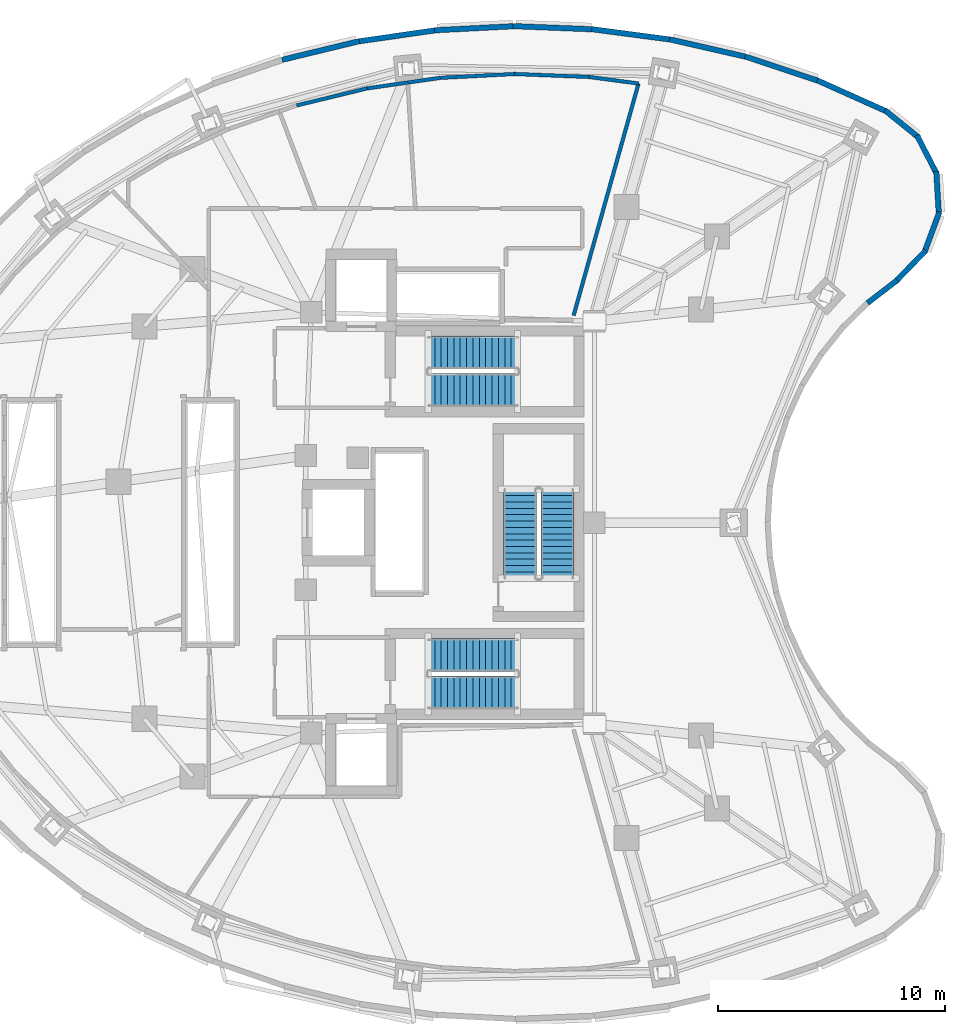
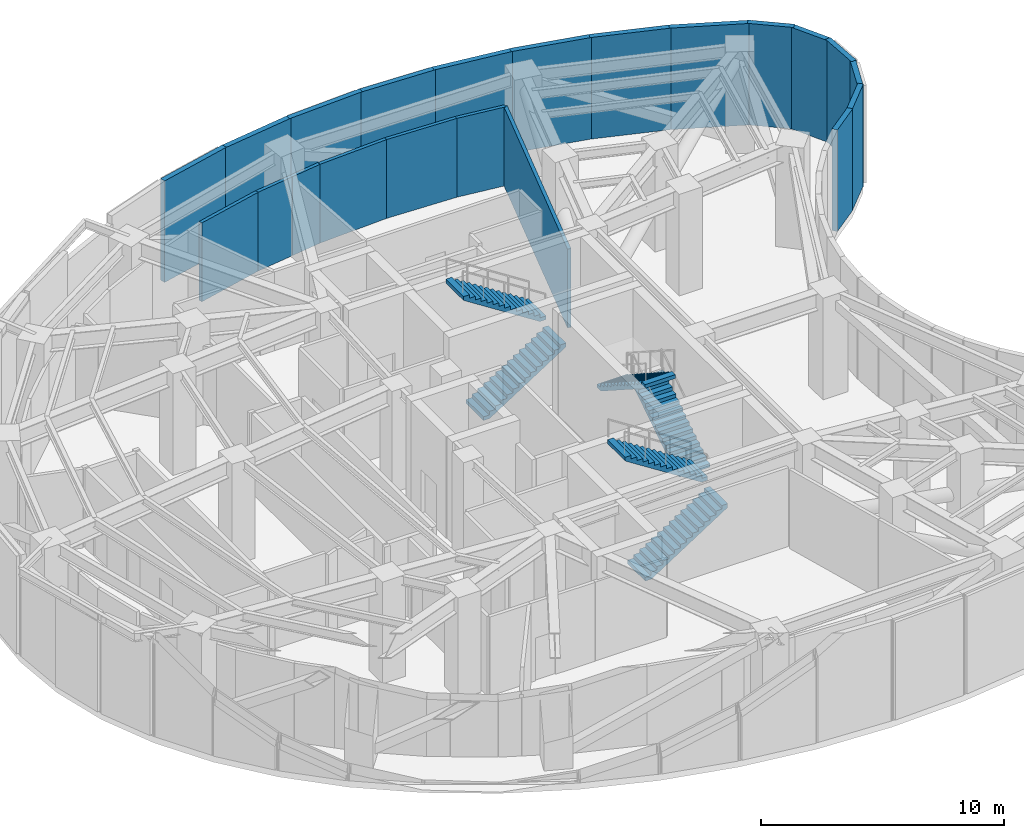
# One storey, part 7 of 10: 21 walls, 6 stair flights, 3 elements without a shape of their own.
"""IFC4 building model written with IfcOpenShell, lengths in metres."""

from ifc_helpers import new_model, si_unit, direction, frame, frame_2d, origin, place, context, subcontext, project, spatial, polyline, rectangle, outline, extrude, material, layer, layer_set, type_object, element, aggregate, save


model = new_model("IFC4")

# Units and contexts
model_context = context("Model", 3, precision=1e-05, world=origin(), true_north=direction((0.0, 1.0)))
body_context = subcontext(model_context, "Body", "Model", "MODEL_VIEW")
ifc_project = project(units=[si_unit("LENGTHUNIT", "METRE"), si_unit("AREAUNIT", "SQUARE_METRE"), si_unit("VOLUMEUNIT", "CUBIC_METRE"), si_unit("PLANEANGLEUNIT", "RADIAN"), si_unit("MASSUNIT", "GRAM", prefix="KILO")], contexts=[model_context])

# Site, building, storey
site_placement = place(None, origin())
site = spatial("IfcSite", under=ifc_project, at=site_placement, CompositionType="ELEMENT")
building_placement = place(site_placement, origin())
building = spatial("IfcBuilding", under=site, at=building_placement, Name="Korentha Bioscience Tower", CompositionType="ELEMENT")
storey_placement = place(building_placement, frame((0.0, 0.0, 84.60009765625)))
storey = spatial("IfcBuildingStorey", under=building, at=storey_placement, Name="L19", CompositionType="ELEMENT", Elevation=84.60009765625)

# Walls
ifc_material_1 = material(Name="Gypsum-Clad Steel Stud", Category="steel")
ifc_layer_1 = layer(ifc_material_1, 0.159912109375, Name="Gypsum-Clad Steel Stud")
ifc_layer_set_1 = layer_set([ifc_layer_1], Name="Gypsum-Clad Steel Stud (IW-C160)")
wall_type_1 = type_object("IfcWallType", Name="Fire-Rated Corridor Partition Wall 160", PredefinedType="PARTITIONING", material=ifc_layer_set_1)
wall_1_placement = place(storey_placement, frame((34.04052734375, 46.72509765625, 0.0), z_axis=(0.0, 0.0, 1.0), x_axis=(0.999211886546, -0.039693901108, 0.0)))
element("IfcWall", 1, at=wall_1_placement, inside=storey, type_object=wall_type_1, Name="L19 Interior Partition 045", PredefinedType="PARTITIONING", context=body_context, shape_type="SweptSolid", body=[
    extrude(rectangle(XDim=3.272216796875, YDim=0.159912109375, at=frame_2d((1.63623046875, 0.0))), origin(), (0.0, 0.0, 1.0), 3.9599609375),
])
wall_2_placement = place(storey_placement, frame((37.31005859375, 46.59521484375, 0.0), z_axis=(0.0, 0.0, 1.0), x_axis=(0.991362199343, -0.131152543679, 0.0)))
element("IfcWall", 2, at=wall_2_placement, inside=storey, type_object=wall_type_1, Name="L19 Interior Partition 046", PredefinedType="PARTITIONING", context=body_context, shape_type="SweptSolid", body=[
    extrude(rectangle(XDim=2.198486328125, YDim=0.159912109375, at=frame_2d((1.09912109375, 0.0))), origin(), (0.0, 0.0, 1.0), 3.9599609375),
])
wall_3_placement = place(storey_placement, frame((39.489501953125, 46.306884765625, 0.0), z_axis=(0.0, 0.0, 1.0), x_axis=(-0.269475187002, -0.963007333093, 0.0)))
element("IfcWall", 3, at=wall_3_placement, inside=storey, type_object=wall_type_1, Name="L19 Interior Partition 047", PredefinedType="PARTITIONING", context=body_context, shape_type="SweptSolid", body=[
    extrude(rectangle(XDim=10.5927734375, YDim=0.159912109375, at=frame_2d((5.29638671875, 0.0))), origin(), (0.0, 0.0, 1.0), 3.9599609375),
])
wall_4_placement = place(storey_placement, frame((29.342041015625, 46.349853515625, 0.0), z_axis=(0.0, 0.0, 1.0), x_axis=(0.98973922772, 0.142885482509, 0.0)))
element("IfcWall", 4, at=wall_4_placement, inside=storey, type_object=wall_type_1, Name="L19 Interior Partition 053", PredefinedType="PARTITIONING", context=body_context, shape_type="SweptSolid", body=[
    extrude(rectangle(XDim=1.447265625, YDim=0.159912109375, at=frame_2d((0.7236328125, 0.0))), origin(), (0.0, 0.0, 1.0), 3.9599609375),
])
wall_5_placement = place(storey_placement, frame((30.7744140625, 46.556640625, 0.0), z_axis=(0.0, 0.0, 1.0), x_axis=(0.998672543276, 0.051508749803, 0.0)))
element("IfcWall", 5, at=wall_5_placement, inside=storey, type_object=wall_type_1, Name="L19 Interior Partition 054", PredefinedType="PARTITIONING", context=body_context, shape_type="SweptSolid", body=[
    extrude(rectangle(XDim=3.2705078125, YDim=0.159912109375, at=frame_2d((1.63525390625, 0.0))), origin(), (0.0, 0.0, 1.0), 3.9599609375),
])
wall_6_placement = place(storey_placement, frame((27.5625, 46.093017578125, 0.0), z_axis=(0.0, 0.0, 1.0), x_axis=(0.989746382277, 0.142835915544, 0.0)))
element("IfcWall", 6, at=wall_6_placement, inside=storey, type_object=wall_type_1, Name="L19 Interior Partition 055", PredefinedType="PARTITIONING", context=body_context, shape_type="SweptSolid", body=[
    extrude(rectangle(XDim=1.787841796875, YDim=0.159912109375, at=frame_2d((0.89404296875, 0.0))), origin(), (0.0, 0.0, 1.0), 3.9599609375),
])
wall_7_placement = place(storey_placement, frame((24.454833984375, 45.34228515625, 0.0), z_axis=(0.0, 0.0, 1.0), x_axis=(0.972038947661, 0.234819684504, 0.0)))
element("IfcWall", 7, at=wall_7_placement, inside=storey, type_object=wall_type_1, Name="L19 Interior Partition 058", PredefinedType="PARTITIONING", context=body_context, shape_type="SweptSolid", body=[
    extrude(rectangle(XDim=3.197021484375, YDim=0.159912109375, at=frame_2d((1.5986328125, 0.0))), origin(), (0.0, 0.0, 1.0), 3.9599609375),
])
ifc_material_2 = material(Name="Insulated Precast Concrete C40", Category="concrete")
ifc_layer_2 = layer(ifc_material_2, 0.239990234375, Name="Insulated Precast Concrete C40")
ifc_layer_set_2 = layer_set([ifc_layer_2], Name="Insulated Precast Concrete C40 (EW-PL240)")
wall_type_2 = type_object("IfcWallType", Name="Plant Acoustic Louvre Backup Wall 240", PredefinedType="STANDARD", material=ifc_layer_set_2)
wall_8_placement = place(storey_placement, frame((50.430419921875, 45.065673828125, 0.0), z_axis=(0.0, 0.0, 1.0), x_axis=(-0.912652411526, 0.408736560313, 0.0)))
element("IfcWall", 8, at=wall_8_placement, inside=storey, type_object=wall_type_2, Name="L19 Plant Louvre Backup Wall 01", PredefinedType="STANDARD", context=body_context, shape_type="SweptSolid", body=[
    extrude(rectangle(XDim=3.380859375, YDim=0.239990234375, at=frame_2d((1.6904296875, 0.0))), origin(), (0.0, 0.0, 1.0), 5.099853515625),
])
wall_9_placement = place(storey_placement, frame((47.44921875, 46.406982421875, 0.0), z_axis=(0.0, 0.0, 1.0), x_axis=(-0.948958428437, 0.315401174853, 0.0)))
element("IfcWall", 9, at=wall_9_placement, inside=storey, type_object=wall_type_2, Name="L19 Plant Louvre Backup Wall 02", PredefinedType="STANDARD", context=body_context, shape_type="SweptSolid", body=[
    extrude(rectangle(XDim=3.456298828125, YDim=0.239990234375, at=frame_2d((1.72802734375, 0.0))), origin(), (0.0, 0.0, 1.0), 5.099853515625),
])
wall_10_placement = place(storey_placement, frame((44.27685546875, 47.467041015625, 0.0), z_axis=(0.0, 0.0, 1.0), x_axis=(-0.974846866826, 0.222875719268, 0.0)))
element("IfcWall", 10, at=wall_10_placement, inside=storey, type_object=wall_type_2, Name="L19 Plant Louvre Backup Wall 03", PredefinedType="STANDARD", context=body_context, shape_type="SweptSolid", body=[
    extrude(rectangle(XDim=3.51513671875, YDim=0.239990234375, at=frame_2d((1.757568359375, 0.0))), origin(), (0.0, 0.0, 1.0), 5.099853515625),
])
wall_11_placement = place(storey_placement, frame((40.95947265625, 48.23095703125, 0.0), z_axis=(0.0, 0.0, 1.0), x_axis=(-0.991370652502, 0.131088631684, 0.0)))
element("IfcWall", 11, at=wall_11_placement, inside=storey, type_object=wall_type_2, Name="L19 Plant Louvre Backup Wall 04", PredefinedType="STANDARD", context=body_context, shape_type="SweptSolid", body=[
    extrude(rectangle(XDim=3.555419921875, YDim=0.239990234375, at=frame_2d((1.77783203125, 0.0))), origin(), (0.0, 0.0, 1.0), 5.099853515625),
])
wall_12_placement = place(storey_placement, frame((37.545166015625, 48.6875, 0.0), z_axis=(0.0, 0.0, 1.0), x_axis=(-0.999212588604, 0.039676224301, 0.0)))
element("IfcWall", 12, at=wall_12_placement, inside=storey, type_object=wall_type_2, Name="L19 Plant Louvre Backup Wall 05", PredefinedType="STANDARD", context=body_context, shape_type="SweptSolid", body=[
    extrude(rectangle(XDim=3.5751953125, YDim=0.239990234375, at=frame_2d((1.78759765625, 0.0))), origin(), (0.0, 0.0, 1.0), 5.099853515625),
])
wall_13_placement = place(storey_placement, frame((34.08349609375, 48.830078125, 0.0), z_axis=(0.0, 0.0, 1.0), x_axis=(-0.998672569018, -0.051508250704, 0.0)))
element("IfcWall", 13, at=wall_13_placement, inside=storey, type_object=wall_type_2, Name="L19 Plant Louvre Backup Wall 06", PredefinedType="STANDARD", context=body_context, shape_type="SweptSolid", body=[
    extrude(rectangle(XDim=3.57373046875, YDim=0.239990234375, at=frame_2d((1.786865234375, 0.0))), origin(), (0.0, 0.0, 1.0), 5.099853515625),
])
wall_14_placement = place(storey_placement, frame((30.625, 48.656982421875, 0.0), z_axis=(0.0, 0.0, 1.0), x_axis=(-0.98973386808, -0.142922602746, 0.0)))
element("IfcWall", 14, at=wall_14_placement, inside=storey, type_object=wall_type_2, Name="L19 Plant Louvre Backup Wall 07", PredefinedType="STANDARD", context=body_context, shape_type="SweptSolid", body=[
    extrude(rectangle(XDim=3.55126953125, YDim=0.239990234375, at=frame_2d((1.775634765625, 0.0))), origin(), (0.0, 0.0, 1.0), 5.099853515625),
])
wall_15_placement = place(storey_placement, frame((27.21923828125, 48.17041015625, 0.0), z_axis=(0.0, 0.0, 1.0), x_axis=(-0.972031834852, -0.23484912611, 0.0)))
element("IfcWall", 15, at=wall_15_placement, inside=storey, type_object=wall_type_2, Name="L19 Plant Louvre Backup Wall 08", PredefinedType="STANDARD", context=body_context, shape_type="SweptSolid", body=[
    extrude(rectangle(XDim=3.508544921875, YDim=0.239990234375, at=frame_2d((1.75439453125, 0.0))), origin(), (0.0, 0.0, 1.0), 5.099853515625),
])
wall_16_placement = place(storey_placement, frame((49.5537109375, 36.650146484375, 0.0), z_axis=(0.0, 0.0, 1.0), x_axis=(0.793365817251, 0.608745168373, 0.0)))
element("IfcWall", 16, at=wall_16_placement, inside=storey, type_object=wall_type_2, Name="L19 Plant Louvre Backup Wall 57", PredefinedType="STANDARD", context=body_context, shape_type="SweptSolid", body=[
    extrude(rectangle(XDim=1.650390625, YDim=0.239990234375, at=frame_2d((0.8251953125, 0.0))), origin(), (0.0, 0.0, 1.0), 5.099853515625),
])
for number, where, z_axis, x_axis, name in (
    (17, (50.775390625, 37.576904296875, 0.0), (0.0, 0.0, 1.0), (0.696059242622, 0.717984352727, 0.0), "L19 Plant Louvre Backup Wall 58"),
    (18, (52.045654296875, 38.843505859375, 0.0), (0.0, 0.0, 1.0), (0.347281523282, 0.937760920271, 0.0), "L19 Plant Louvre Backup Wall 59"),
):
    element("IfcWall", number, at=place(storey_placement, frame(where, z_axis=z_axis, x_axis=x_axis)), inside=storey, type_object=wall_type_2, Name=name, PredefinedType="STANDARD", context=body_context, shape_type="SweptSolid", body=[
        extrude(rectangle(XDim=1.9375, YDim=0.239990234375, at=frame_2d((0.96875, 0.0))), origin(), (0.0, 0.0, 1.0), 5.099853515625),
    ])
wall_17_placement = place(storey_placement, frame((52.697021484375, 40.5146484375, 0.0), z_axis=(0.0, 0.0, 1.0), x_axis=(-0.060236336379, 0.998184143222, 0.0)))
element("IfcWall", 19, at=wall_17_placement, inside=storey, type_object=wall_type_2, Name="L19 Plant Louvre Backup Wall 60", PredefinedType="STANDARD", context=body_context, shape_type="SweptSolid", body=[
    extrude(rectangle(XDim=1.937255859375, YDim=0.239990234375, at=frame_2d((0.96875, 0.0))), origin(), (0.0, 0.0, 1.0), 5.099853515625),
])
wall_18_placement = place(storey_placement, frame((52.619384765625, 42.306396484375, 0.0), z_axis=(0.0, 0.0, 1.0), x_axis=(-0.457615600141, 0.889150134965, 0.0)))
element("IfcWall", 20, at=wall_18_placement, inside=storey, type_object=wall_type_2, Name="L19 Plant Louvre Backup Wall 61", PredefinedType="STANDARD", context=body_context, shape_type="SweptSolid", body=[
    extrude(rectangle(XDim=1.937744140625, YDim=0.239990234375, at=frame_2d((0.96875, 0.0))), origin(), (0.0, 0.0, 1.0), 5.099853515625),
])
wall_19_placement = place(storey_placement, frame((51.82568359375, 43.9150390625, 0.0), z_axis=(0.0, 0.0, 1.0), x_axis=(-0.777365171623, 0.629049592598, 0.0)))
element("IfcWall", 21, at=wall_19_placement, inside=storey, type_object=wall_type_2, Name="L19 Plant Louvre Backup Wall 62", PredefinedType="STANDARD", context=body_context, shape_type="SweptSolid", body=[
    extrude(rectangle(XDim=1.9375, YDim=0.239990234375, at=frame_2d((0.96875, 0.0))), origin(), (0.0, 0.0, 1.0), 5.099853515625),
])

# Stair, stair flights
ifc_material_3 = material(Name="Precast Concrete C50", Category="concrete")
stair_type = type_object("IfcStairType", Name="Core Exit Dog-Leg Stair 1450", PredefinedType="HALF_TURN_STAIR", material=ifc_material_3)
stair_1_placement = place(storey_placement, origin())
stair_1 = element("IfcStair", 22, at=stair_1_placement, inside=storey, type_object=stair_type, Name="L19 Tower North Pressurized Exit Stair ST-1", PredefinedType="HALF_TURN_STAIR")
stair_flight_type = type_object("IfcStairFlightType", Name="Core Exit Dog-Leg Stair 1450 Flight", PredefinedType="STRAIGHT", material=ifc_material_3)
stair_flight_1_placement = place(storey_placement, frame((30.25, 32.824951171875, 0.0), z_axis=(0.0, 0.0, 1.0), x_axis=(1.0, 0.0, 0.0)))
stair_flight_1 = element("IfcStairFlight", 23, at=stair_flight_1_placement, type_object=stair_flight_type, Name="ST-1 flight 1", NumberOfRisers=15, NumberOfTreads=14, PredefinedType="STRAIGHT", RiserHeight=0.18, TreadLength=0.28, context=body_context, shape_type="SweptSolid", body=[
    extrude(outline(polyline([(0.0, 0.0), (0.0, 0.179931640625), (0.280029296875, 0.179931640625), (0.280029296875, 0.360107421875), (0.56005859375, 0.360107421875), (0.56005859375, 0.5400390625), (0.840087890625, 0.5400390625), (0.840087890625, 0.719970703125), (1.1201171875, 0.719970703125), (1.1201171875, 0.89990234375), (1.39990234375, 0.89990234375), (1.39990234375, 1.080078125), (1.679931640625, 1.080078125), (1.679931640625, 1.260009765625), (1.9599609375, 1.260009765625), (1.9599609375, 1.43994140625), (2.239990234375, 1.43994140625), (2.239990234375, 1.6201171875), (2.52001953125, 1.6201171875), (2.52001953125, 1.800048828125), (2.800048828125, 1.800048828125), (2.800048828125, 1.97998046875), (3.080078125, 1.97998046875), (3.080078125, 2.159912109375), (3.360107421875, 2.159912109375), (3.360107421875, 2.340087890625), (3.639892578125, 2.340087890625), (3.639892578125, 2.52001953125), (3.919921875, 2.52001953125), (3.919921875, 2.699951171875), (3.919921875, 2.329833984375), (0.295654296875, 0.0), (0.0, 0.0)])), frame((0.0, 0.72509765625, 0.0), z_axis=(0.0, -1.0, 0.0), x_axis=(1.0, 0.0, 0.0)), (0.0, 0.0, 1.0), 1.449951171875),
])
stair_flight_2_placement = place(storey_placement, frame((34.169921875, 34.47509765625, 2.699951171875), z_axis=(0.0, 0.0, 1.0), x_axis=(-1.0, 0.0, 0.0)))
stair_flight_2 = element("IfcStairFlight", 24, at=stair_flight_2_placement, type_object=stair_flight_type, Name="ST-1 flight 2", NumberOfRisers=15, NumberOfTreads=14, PredefinedType="STRAIGHT", RiserHeight=0.18, TreadLength=0.28, context=body_context, shape_type="SweptSolid", body=[
    extrude(outline(polyline([(0.0, 0.0), (0.0, 0.179931640625), (0.280029296875, 0.179931640625), (0.280029296875, 0.360107421875), (0.56005859375, 0.360107421875), (0.56005859375, 0.5400390625), (0.840087890625, 0.5400390625), (0.840087890625, 0.719970703125), (1.1201171875, 0.719970703125), (1.1201171875, 0.89990234375), (1.39990234375, 0.89990234375), (1.39990234375, 1.080078125), (1.679931640625, 1.080078125), (1.679931640625, 1.260009765625), (1.9599609375, 1.260009765625), (1.9599609375, 1.43994140625), (2.239990234375, 1.43994140625), (2.239990234375, 1.6201171875), (2.52001953125, 1.6201171875), (2.52001953125, 1.800048828125), (2.800048828125, 1.800048828125), (2.800048828125, 1.97998046875), (3.080078125, 1.97998046875), (3.080078125, 2.159912109375), (3.360107421875, 2.159912109375), (3.360107421875, 2.340087890625), (3.639892578125, 2.340087890625), (3.639892578125, 2.52001953125), (3.919921875, 2.52001953125), (3.919921875, 2.699951171875), (3.919921875, 2.329833984375), (0.295654296875, 0.0), (0.0, 0.0)])), frame((0.0, 0.72509765625, 0.0), z_axis=(0.0, -1.0, 0.0), x_axis=(1.0, 0.0, 0.0)), (0.0, 0.0, 1.0), 1.449951171875),
])
aggregate(stair_1, [stair_flight_1, stair_flight_2])

stair_2_placement = place(storey_placement, origin())
stair_2 = element("IfcStair", 25, at=stair_2_placement, inside=storey, type_object=stair_type, Name="L19 Tower South Pressurized Exit Stair ST-2", PredefinedType="HALF_TURN_STAIR")
stair_flight_3_placement = place(storey_placement, frame((30.25, 19.52490234375, 0.0), z_axis=(0.0, 0.0, 1.0), x_axis=(1.0, 0.0, 0.0)))
stair_flight_3 = element("IfcStairFlight", 26, at=stair_flight_3_placement, type_object=stair_flight_type, Name="ST-2 flight 1", NumberOfRisers=15, NumberOfTreads=14, PredefinedType="STRAIGHT", RiserHeight=0.18, TreadLength=0.28, context=body_context, shape_type="SweptSolid", body=[
    extrude(outline(polyline([(0.0, 0.0), (0.0, 0.179931640625), (0.280029296875, 0.179931640625), (0.280029296875, 0.360107421875), (0.56005859375, 0.360107421875), (0.56005859375, 0.5400390625), (0.840087890625, 0.5400390625), (0.840087890625, 0.719970703125), (1.1201171875, 0.719970703125), (1.1201171875, 0.89990234375), (1.39990234375, 0.89990234375), (1.39990234375, 1.080078125), (1.679931640625, 1.080078125), (1.679931640625, 1.260009765625), (1.9599609375, 1.260009765625), (1.9599609375, 1.43994140625), (2.239990234375, 1.43994140625), (2.239990234375, 1.6201171875), (2.52001953125, 1.6201171875), (2.52001953125, 1.800048828125), (2.800048828125, 1.800048828125), (2.800048828125, 1.97998046875), (3.080078125, 1.97998046875), (3.080078125, 2.159912109375), (3.360107421875, 2.159912109375), (3.360107421875, 2.340087890625), (3.639892578125, 2.340087890625), (3.639892578125, 2.52001953125), (3.919921875, 2.52001953125), (3.919921875, 2.699951171875), (3.919921875, 2.329833984375), (0.295654296875, 0.0), (0.0, 0.0)])), frame((0.0, 0.72509765625, 0.0), z_axis=(0.0, -1.0, 0.0), x_axis=(1.0, 0.0, 0.0)), (0.0, 0.0, 1.0), 1.449951171875),
])
stair_flight_4_placement = place(storey_placement, frame((34.169921875, 21.175048828125, 2.699951171875), z_axis=(0.0, 0.0, 1.0), x_axis=(-1.0, 0.0, 0.0)))
stair_flight_4 = element("IfcStairFlight", 27, at=stair_flight_4_placement, type_object=stair_flight_type, Name="ST-2 flight 2", NumberOfRisers=15, NumberOfTreads=14, PredefinedType="STRAIGHT", RiserHeight=0.18, TreadLength=0.28, context=body_context, shape_type="SweptSolid", body=[
    extrude(outline(polyline([(0.0, 0.0), (0.0, 0.179931640625), (0.280029296875, 0.179931640625), (0.280029296875, 0.360107421875), (0.56005859375, 0.360107421875), (0.56005859375, 0.5400390625), (0.840087890625, 0.5400390625), (0.840087890625, 0.719970703125), (1.1201171875, 0.719970703125), (1.1201171875, 0.89990234375), (1.39990234375, 0.89990234375), (1.39990234375, 1.080078125), (1.679931640625, 1.080078125), (1.679931640625, 1.260009765625), (1.9599609375, 1.260009765625), (1.9599609375, 1.43994140625), (2.239990234375, 1.43994140625), (2.239990234375, 1.6201171875), (2.52001953125, 1.6201171875), (2.52001953125, 1.800048828125), (2.800048828125, 1.800048828125), (2.800048828125, 1.97998046875), (3.080078125, 1.97998046875), (3.080078125, 2.159912109375), (3.360107421875, 2.159912109375), (3.360107421875, 2.340087890625), (3.639892578125, 2.340087890625), (3.639892578125, 2.52001953125), (3.919921875, 2.52001953125), (3.919921875, 2.699951171875), (3.919921875, 2.329833984375), (0.295654296875, 0.0), (0.0, 0.0)])), frame((0.0, 0.72509765625, 0.0), z_axis=(0.0, -1.0, 0.0), x_axis=(1.0, 0.0, 0.0)), (0.0, 0.0, 1.0), 1.449951171875),
])
aggregate(stair_2, [stair_flight_3, stair_flight_4])

stair_3_placement = place(storey_placement, origin())
stair_3 = element("IfcStair", 28, at=stair_3_placement, inside=storey, type_object=stair_type, Name="L19 Tower Central Pressurized Exit Stair ST-3", PredefinedType="HALF_TURN_STAIR")
stair_flight_5_placement = place(storey_placement, frame((35.925048828125, 24.550048828125, 0.0), z_axis=(0.0, 0.0, 1.0), x_axis=(0.0, 1.0, 0.0)))
stair_flight_5 = element("IfcStairFlight", 29, at=stair_flight_5_placement, type_object=stair_flight_type, Name="ST-3 flight 1", NumberOfRisers=15, NumberOfTreads=14, PredefinedType="STRAIGHT", RiserHeight=0.18, TreadLength=0.28, context=body_context, shape_type="SweptSolid", body=[
    extrude(outline(polyline([(0.0, 0.0), (0.0, 0.179931640625), (0.280029296875, 0.179931640625), (0.280029296875, 0.360107421875), (0.56005859375, 0.360107421875), (0.56005859375, 0.5400390625), (0.840087890625, 0.5400390625), (0.840087890625, 0.719970703125), (1.1201171875, 0.719970703125), (1.1201171875, 0.89990234375), (1.39990234375, 0.89990234375), (1.39990234375, 1.080078125), (1.679931640625, 1.080078125), (1.679931640625, 1.260009765625), (1.9599609375, 1.260009765625), (1.9599609375, 1.43994140625), (2.239990234375, 1.43994140625), (2.239990234375, 1.6201171875), (2.52001953125, 1.6201171875), (2.52001953125, 1.800048828125), (2.800048828125, 1.800048828125), (2.800048828125, 1.97998046875), (3.080078125, 1.97998046875), (3.080078125, 2.159912109375), (3.360107421875, 2.159912109375), (3.360107421875, 2.340087890625), (3.639892578125, 2.340087890625), (3.639892578125, 2.52001953125), (3.919921875, 2.52001953125), (3.919921875, 2.699951171875), (3.919921875, 2.329833984375), (0.295654296875, 0.0), (0.0, 0.0)])), frame((0.0, 0.72509765625, 0.0), z_axis=(0.0, -1.0, 0.0), x_axis=(1.0, 0.0, 0.0)), (0.0, 0.0, 1.0), 1.449951171875),
])
stair_flight_6_placement = place(storey_placement, frame((34.27490234375, 28.469970703125, 2.699951171875), z_axis=(0.0, 0.0, 1.0), x_axis=(0.0, -1.0, 0.0)))
stair_flight_6 = element("IfcStairFlight", 30, at=stair_flight_6_placement, type_object=stair_flight_type, Name="ST-3 flight 2", NumberOfRisers=15, NumberOfTreads=14, PredefinedType="STRAIGHT", RiserHeight=0.18, TreadLength=0.28, context=body_context, shape_type="SweptSolid", body=[
    extrude(outline(polyline([(0.0, 0.0), (0.0, 0.179931640625), (0.280029296875, 0.179931640625), (0.280029296875, 0.360107421875), (0.56005859375, 0.360107421875), (0.56005859375, 0.5400390625), (0.840087890625, 0.5400390625), (0.840087890625, 0.719970703125), (1.1201171875, 0.719970703125), (1.1201171875, 0.89990234375), (1.39990234375, 0.89990234375), (1.39990234375, 1.080078125), (1.679931640625, 1.080078125), (1.679931640625, 1.260009765625), (1.9599609375, 1.260009765625), (1.9599609375, 1.43994140625), (2.239990234375, 1.43994140625), (2.239990234375, 1.6201171875), (2.52001953125, 1.6201171875), (2.52001953125, 1.800048828125), (2.800048828125, 1.800048828125), (2.800048828125, 1.97998046875), (3.080078125, 1.97998046875), (3.080078125, 2.159912109375), (3.360107421875, 2.159912109375), (3.360107421875, 2.340087890625), (3.639892578125, 2.340087890625), (3.639892578125, 2.52001953125), (3.919921875, 2.52001953125), (3.919921875, 2.699951171875), (3.919921875, 2.329833984375), (0.295654296875, 0.0), (0.0, 0.0)])), frame((0.0, 0.72509765625, 0.0), z_axis=(0.0, -1.0, 0.0), x_axis=(1.0, 0.0, 0.0)), (0.0, 0.0, 1.0), 1.449951171875),
])
aggregate(stair_3, [stair_flight_5, stair_flight_6])

save(model, "model.ifc")
